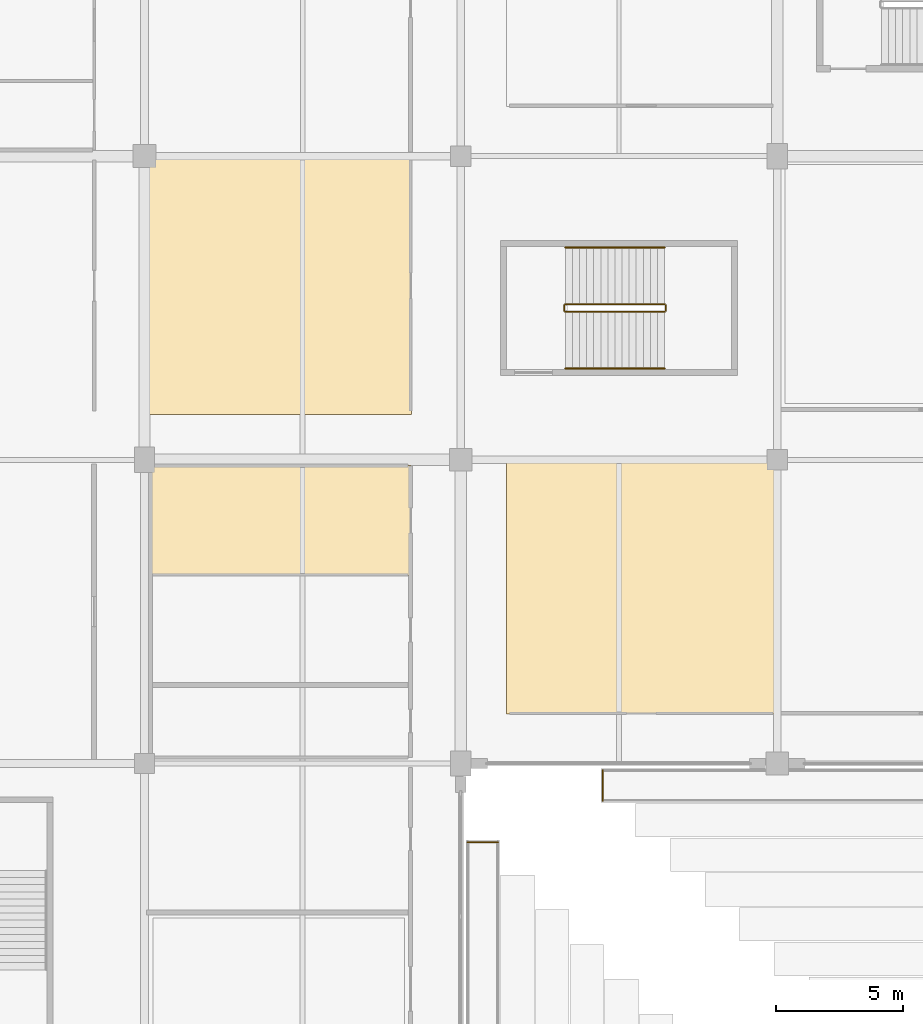
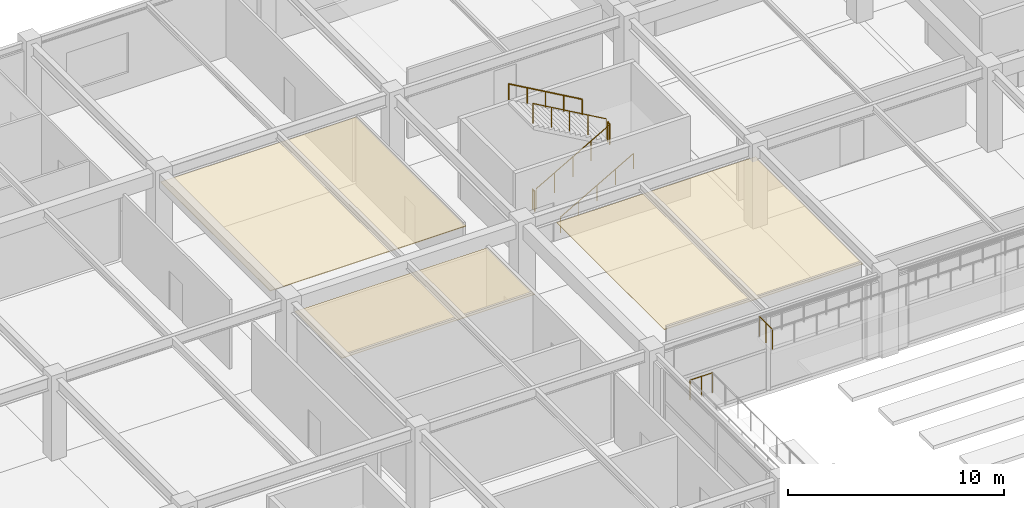
# One storey, part 124 of 134: 8 railings, 3 coverings.
"""IFC4 building model written with IfcOpenShell, lengths in metres."""

from ifc_helpers import new_model, si_unit, direction, frame, origin, origin_2d, place, context, subcontext, project, spatial, polyline, circle, outline, extrude, material, layer, layer_set, type_object, element, save


model = new_model("IFC4")

# Units and contexts
model_context = context("Model", 3, precision=1e-05, world=origin(), true_north=direction((0.0, 1.0)))
body_context = subcontext(model_context, "Body", "Model", "MODEL_VIEW")
ifc_project = project(units=[si_unit("LENGTHUNIT", "METRE"), si_unit("AREAUNIT", "SQUARE_METRE"), si_unit("VOLUMEUNIT", "CUBIC_METRE"), si_unit("PLANEANGLEUNIT", "RADIAN"), si_unit("MASSUNIT", "GRAM", prefix="KILO")], contexts=[model_context])

# Site, building, storey
site_placement = place(None, origin())
site = spatial("IfcSite", under=ifc_project, at=site_placement, CompositionType="ELEMENT")
building_placement = place(site_placement, origin())
building = spatial("IfcBuilding", under=site, at=building_placement, Name="Kazenohara Klinker Stadium", CompositionType="ELEMENT")
storey_placement = place(building_placement, frame((0.0, 0.0, 5.39990234375)))
storey = spatial("IfcBuildingStorey", under=building, at=storey_placement, Name="L01", CompositionType="ELEMENT", Elevation=5.39990234375)

# Coverings
ifc_material_1 = material(Name="Perforated acoustic mineral-fibre ceiling tile", Category="gypsum")
ifc_layer_1 = layer(ifc_material_1, 0.030029296875)
ifc_layer_set_1 = layer_set([ifc_layer_1], Name="Perforated acoustic mineral-fibre ceiling tile")
covering_type_1 = type_object("IfcCoveringType", Name="COV-CEIL-01", PredefinedType="CEILING", material=ifc_layer_set_1)
covering_1_placement = place(storey_placement, frame((0.0, 0.0, 3.75)))
element("IfcCovering", 1, at=covering_1_placement, inside=storey, type_object=covering_type_1, Name="Suspended acoustic ceiling CL01 Water Closet Restroom Female L01-0311C", PredefinedType="CEILING", context=body_context, shape_type="SweptSolid", body=[
    extrude(outline(polyline([(36.719970703125, 139.421142578125), (47.030029296875, 139.421142578125), (47.030029296875, 143.780029296875), (36.719970703125, 143.780029296875), (36.719970703125, 139.421142578125)])), origin(), (0.0, 0.0, 1.0), 0.030029296875),
])
covering_2_placement = place(storey_placement, frame((0.0, 0.0, 3.75)))
element("IfcCovering", 2, at=covering_2_placement, inside=storey, type_object=covering_type_1, Name="Suspended acoustic ceiling CL01 Community Martial Arts Fitness Studio L01-0411A", PredefinedType="CEILING", context=body_context, shape_type="SweptSolid", body=[
    extrude(outline(polyline([(50.800048828125, 133.9599609375), (61.4599609375, 133.9599609375), (61.4599609375, 143.93994140625), (50.800048828125, 143.93994140625), (50.800048828125, 133.9599609375)])), origin(), (0.0, 0.0, 1.0), 0.030029296875),
])
ifc_material_2 = material(Name="Slatted Hokkaido cedar acoustic baffle ceiling", Category="wood")
ifc_layer_2 = layer(ifc_material_2, 0.0400390625)
ifc_layer_set_2 = layer_set([ifc_layer_2], Name="Slatted Hokkaido cedar acoustic baffle ceiling")
covering_type_2 = type_object("IfcCoveringType", Name="COV-CEIL-02", PredefinedType="CEILING", material=ifc_layer_set_2)
covering_3_placement = place(storey_placement, frame((0.0, 0.0, 3.739990234375)))
element("IfcCovering", 3, at=covering_3_placement, inside=storey, type_object=covering_type_2, Name="Suspended acoustic ceiling CL02 Supporter Scarf and Jersey Retail Shop L01-0312A", PredefinedType="CEILING", context=body_context, shape_type="SweptSolid", body=[
    extrude(outline(polyline([(36.56005859375, 145.800048828125), (47.0400390625, 145.800048828125), (47.0400390625, 155.9599609375), (36.56005859375, 155.9599609375), (36.56005859375, 145.800048828125)])), origin(), (0.0, 0.0, 1.0), 0.0400390625),
])

# Railings
ifc_material_3 = material(Name="Galvanised powder-coated steel guardrail", Category="steel")
ifc_layer_3 = layer(ifc_material_3, 0.070068359375)
ifc_layer_set_3 = layer_set([ifc_layer_3], Name="Galvanised powder-coated steel guardrail")
railing_type_1 = type_object("IfcRailingType", Name="RL-GRD-1150", PredefinedType="GUARDRAIL", material=ifc_layer_set_3)
railing_1_placement = place(storey_placement, frame((49.260009765625, 128.888671875, 3.400146484375)))
element("IfcRailing", 4, at=railing_1_placement, inside=storey, type_object=railing_type_1, Name="Spectator stand sightline guardrail TIER-LOWER-W-01-N", PredefinedType="GUARDRAIL", context=body_context, shape_type="SweptSolid", body=[
    extrude(circle(Radius=0.02392578125, at=origin_2d()), frame((0.0, 0.0, 1.1259765625), z_axis=(1.0, 0.0, 0.0), x_axis=(0.0, 1.0, 0.0)), (0.0, 0.0, 1.0), 1.21142578125),
    extrude(circle(Radius=0.02099609375, at=origin_2d()), origin(), (0.0, 0.0, 1.0), 1.101806640625),
    extrude(circle(Radius=0.02099609375, at=origin_2d()), frame((0.605712890625, 0.0, 0.0)), (0.0, 0.0, 1.0), 1.101806640625),
    extrude(circle(Radius=0.02099609375, at=origin_2d()), frame((1.21142578125, 0.0, 0.0)), (0.0, 0.0, 1.0), 1.101806640625),
])
railing_2_placement = place(storey_placement, frame((54.611328125, 130.528564453125, 3.400146484375)))
element("IfcRailing", 5, at=railing_2_placement, inside=storey, type_object=railing_type_1, Name="Spectator stand sightline guardrail TIER-LOWER-N-01-W", PredefinedType="GUARDRAIL", context=body_context, shape_type="SweptSolid", body=[
    extrude(circle(Radius=0.02392578125, at=origin_2d()), frame((0.0, 0.0, 1.1259765625), z_axis=(0.0, 1.0, 0.0), x_axis=(-1.0, 0.0, 0.0)), (0.0, 0.0, 1.0), 1.21142578125),
    extrude(circle(Radius=0.02099609375, at=origin_2d()), origin(), (0.0, 0.0, 1.0), 1.101806640625),
    extrude(circle(Radius=0.02099609375, at=origin_2d()), frame((0.0, 0.605712890625, 0.0)), (0.0, 0.0, 1.0), 1.101806640625),
    extrude(circle(Radius=0.02099609375, at=origin_2d()), frame((0.0, 1.21142578125, 0.0)), (0.0, 0.0, 1.0), 1.101806640625),
])
ifc_material_4 = material(Name="Brushed stainless steel 304 handrail", Category="steel")
ifc_layer_4 = layer(ifc_material_4, 0.050048828125)
ifc_layer_set_4 = layer_set([ifc_layer_4], Name="Brushed stainless steel 304 handrail")
railing_type_2 = type_object("IfcRailingType", Name="RL-HND-900", PredefinedType="HANDRAIL", material=ifc_layer_set_4)
railing_3_placement = place(storey_placement, frame((53.1298828125, 147.610107421875, 0.16015625)))
element("IfcRailing", 6, at=railing_3_placement, inside=storey, type_object=railing_type_2, Name="L01 ST08 stair handrail 1", PredefinedType="HANDRAIL", context=body_context, shape_type="SweptSolid", body=[
    extrude(circle(Radius=0.02392578125, at=origin_2d()), frame((0.0, 0.0, 0.8759765625), z_axis=(0.86825312469, 0.0, 0.496121468458), x_axis=(0.0, 1.0, 0.0)), (0.0, 0.0, 1.0), 4.514892578125),
    extrude(circle(Radius=0.02099609375, at=origin_2d()), origin(), (0.0, 0.0, 1.0), 0.851806640625),
    extrude(circle(Radius=0.02099609375, at=origin_2d()), frame((0.97998046875, 0.0, 0.56005859375)), (0.0, 0.0, 1.0), 0.851806640625),
    extrude(circle(Radius=0.02099609375, at=origin_2d()), frame((1.9599609375, 0.0, 1.1201171875)), (0.0, 0.0, 1.0), 0.851806640625),
    extrude(circle(Radius=0.02099609375, at=origin_2d()), frame((2.940185546875, 0.0, 1.679931640625)), (0.0, 0.0, 1.0), 0.851806640625),
    extrude(circle(Radius=0.02099609375, at=origin_2d()), frame((3.920166015625, 0.0, 2.239990234375)), (0.0, 0.0, 1.0), 0.851806640625),
])
railing_4_placement = place(storey_placement, frame((57.050048828125, 152.389892578125, 2.56005859375)))
element("IfcRailing", 7, at=railing_4_placement, inside=storey, type_object=railing_type_2, Name="L01 ST08 stair handrail 2", PredefinedType="HANDRAIL", context=body_context, shape_type="SweptSolid", body=[
    extrude(circle(Radius=0.02392578125, at=origin_2d()), frame((0.0, 0.0, 0.8759765625), z_axis=(-0.86825312469, 0.0, 0.496121468458), x_axis=(0.0, -1.0, 0.0)), (0.0, 0.0, 1.0), 4.514892578125),
    extrude(circle(Radius=0.02099609375, at=origin_2d()), origin(), (0.0, 0.0, 1.0), 0.851806640625),
    extrude(circle(Radius=0.02099609375, at=origin_2d()), frame((-0.97998046875, 0.0, 0.56005859375)), (0.0, 0.0, 1.0), 0.851806640625),
    extrude(circle(Radius=0.02099609375, at=origin_2d()), frame((-1.9599609375, 0.0, 1.1201171875)), (0.0, 0.0, 1.0), 0.851806640625),
    extrude(circle(Radius=0.02099609375, at=origin_2d()), frame((-2.940185546875, 0.0, 1.679931640625)), (0.0, 0.0, 1.0), 0.851806640625),
    extrude(circle(Radius=0.02099609375, at=origin_2d()), frame((-3.920166015625, 0.0, 2.239990234375)), (0.0, 0.0, 1.0), 0.851806640625),
])
ifc_material_5 = material(Name="Painted steel stairwell guardrail", Category="steel")
ifc_layer_5 = layer(ifc_material_5, 0.06005859375)
ifc_layer_set_5 = layer_set([ifc_layer_5], Name="Painted steel stairwell guardrail")
railing_type_3 = type_object("IfcRailingType", Name="RL-STG-1120", PredefinedType="GUARDRAIL", material=ifc_layer_set_5)
railing_5_placement = place(storey_placement, frame((53.1298828125, 149.85009765625, 0.16015625)))
element("IfcRailing", 8, at=railing_5_placement, inside=storey, type_object=railing_type_3, Name="L01 ST08 stair guard 1", PredefinedType="GUARDRAIL", context=body_context, shape_type="SweptSolid", body=[
    extrude(circle(Radius=0.02392578125, at=origin_2d()), frame((0.0, 0.0, 1.1259765625), z_axis=(0.86825312469, 0.0, 0.496121468458), x_axis=(0.0, 1.0, 0.0)), (0.0, 0.0, 1.0), 4.514892578125),
    extrude(circle(Radius=0.02099609375, at=origin_2d()), origin(), (0.0, 0.0, 1.0), 1.101806640625),
    extrude(circle(Radius=0.02099609375, at=origin_2d()), frame((0.97998046875, 0.0, 0.56005859375)), (0.0, 0.0, 1.0), 1.101806640625),
    extrude(circle(Radius=0.02099609375, at=origin_2d()), frame((1.9599609375, 0.0, 1.1201171875)), (0.0, 0.0, 1.0), 1.101806640625),
    extrude(circle(Radius=0.02099609375, at=origin_2d()), frame((2.940185546875, 0.0, 1.679931640625)), (0.0, 0.0, 1.0), 1.101806640625),
    extrude(circle(Radius=0.02099609375, at=origin_2d()), frame((3.920166015625, 0.0, 2.239990234375)), (0.0, 0.0, 1.0), 1.101806640625),
])
railing_6_placement = place(storey_placement, frame((57.10009765625, 149.89990234375, 2.400146484375)))
element("IfcRailing", 9, at=railing_6_placement, inside=storey, type_object=railing_type_3, Name="L01 ST08 stair guard 2", PredefinedType="GUARDRAIL", context=body_context, shape_type="SweptSolid", body=[
    extrude(circle(Radius=0.02392578125, at=origin_2d()), frame((0.0, 0.0, 1.1259765625), z_axis=(0.0, 1.0, 0.0), x_axis=(-1.0, 0.0, 0.0)), (0.0, 0.0, 1.0), 0.2001953125),
    extrude(circle(Radius=0.02099609375, at=origin_2d()), origin(), (0.0, 0.0, 1.0), 1.101806640625),
    extrude(circle(Radius=0.02099609375, at=origin_2d()), frame((0.0, 0.2001953125, 0.0)), (0.0, 0.0, 1.0), 1.101806640625),
])
railing_7_placement = place(storey_placement, frame((57.050048828125, 150.14990234375, 2.56005859375)))
element("IfcRailing", 10, at=railing_7_placement, inside=storey, type_object=railing_type_3, Name="L01 ST08 stair guard 3", PredefinedType="GUARDRAIL", context=body_context, shape_type="SweptSolid", body=[
    extrude(circle(Radius=0.02392578125, at=origin_2d()), frame((0.0, 0.0, 1.1259765625), z_axis=(-0.86825312469, 0.0, 0.496121468458), x_axis=(0.0, -1.0, 0.0)), (0.0, 0.0, 1.0), 4.514892578125),
    extrude(circle(Radius=0.02099609375, at=origin_2d()), origin(), (0.0, 0.0, 1.0), 1.101806640625),
    extrude(circle(Radius=0.02099609375, at=origin_2d()), frame((-0.97998046875, 0.0, 0.56005859375)), (0.0, 0.0, 1.0), 1.101806640625),
    extrude(circle(Radius=0.02099609375, at=origin_2d()), frame((-1.9599609375, 0.0, 1.1201171875)), (0.0, 0.0, 1.0), 1.101806640625),
    extrude(circle(Radius=0.02099609375, at=origin_2d()), frame((-2.940185546875, 0.0, 1.679931640625)), (0.0, 0.0, 1.0), 1.101806640625),
    extrude(circle(Radius=0.02099609375, at=origin_2d()), frame((-3.920166015625, 0.0, 2.239990234375)), (0.0, 0.0, 1.0), 1.101806640625),
])
railing_8_placement = place(storey_placement, frame((53.080078125, 149.89990234375, 0.0)))
element("IfcRailing", 11, at=railing_8_placement, inside=storey, type_object=railing_type_3, Name="L01 ST08 stair guard 4", PredefinedType="GUARDRAIL", context=body_context, shape_type="SweptSolid", body=[
    extrude(circle(Radius=0.02392578125, at=origin_2d()), frame((0.0, 0.0, 1.1259765625), z_axis=(0.0, 1.0, 0.0), x_axis=(-1.0, 0.0, 0.0)), (0.0, 0.0, 1.0), 0.2001953125),
    extrude(circle(Radius=0.02099609375, at=origin_2d()), origin(), (0.0, 0.0, 1.0), 1.101806640625),
    extrude(circle(Radius=0.02099609375, at=origin_2d()), frame((0.0, 0.2001953125, 0.0)), (0.0, 0.0, 1.0), 1.101806640625),
])

save(model, "model.ifc")
